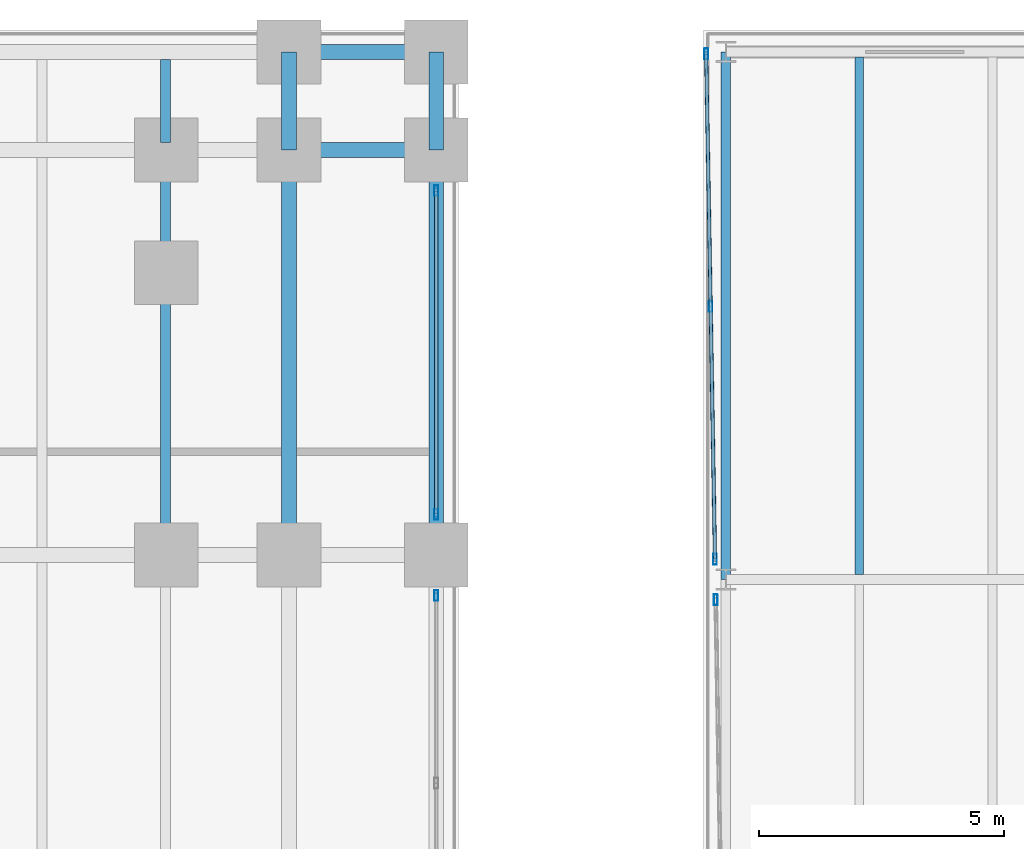
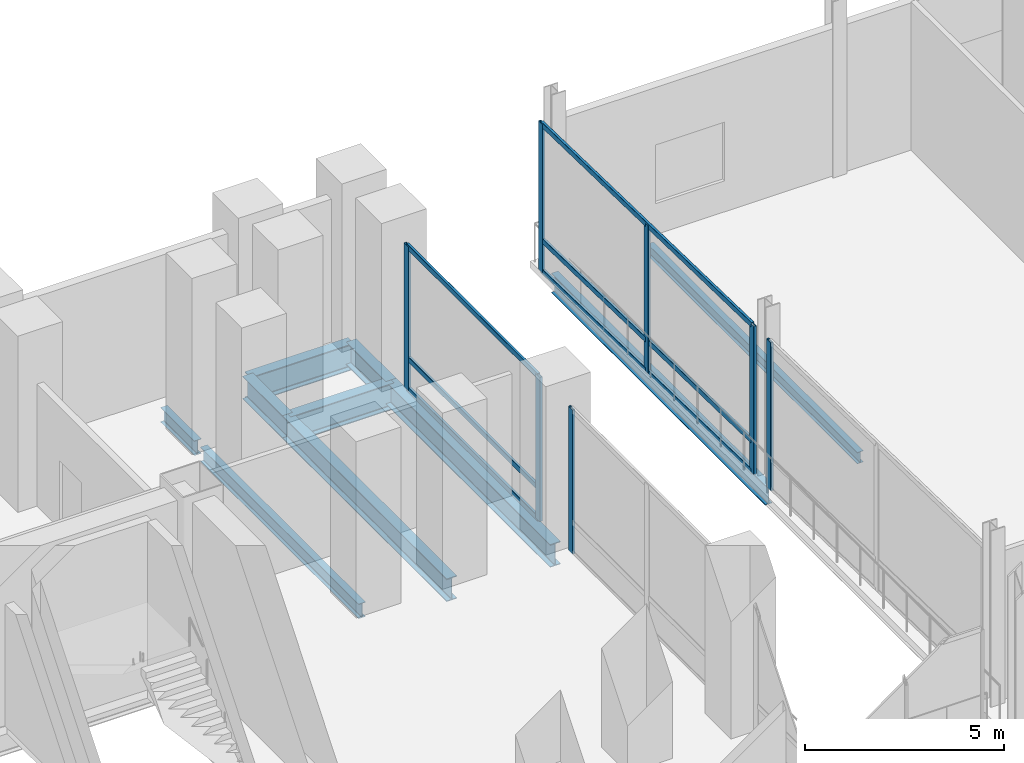
# One storey, part 19 of 30: 13 members, 10 beams, 4 elements without a shape of their own.
"""IFC4 building model written with IfcOpenShell, lengths in metres."""

from ifc_helpers import new_model, si_unit, direction, frame, origin, origin_2d, place, context, subcontext, project, spatial, hollow_rectangle, i_section, extrude, material, material_profile, profile_set, type_object, element, aggregate, save


model = new_model("IFC4")

# Units and contexts
model_context = context("Model", 3, precision=1e-05, world=origin(), true_north=direction((0.0, 1.0)))
body_context = subcontext(model_context, "Body", "Model", "MODEL_VIEW")
ifc_project = project(units=[si_unit("LENGTHUNIT", "METRE"), si_unit("AREAUNIT", "SQUARE_METRE"), si_unit("VOLUMEUNIT", "CUBIC_METRE"), si_unit("PLANEANGLEUNIT", "RADIAN"), si_unit("MASSUNIT", "GRAM", prefix="KILO")], contexts=[model_context])

# Site, building, storey
site_placement = place(None, origin())
site = spatial("IfcSite", under=ifc_project, at=site_placement, CompositionType="ELEMENT")
building_placement = place(site_placement, origin())
building = spatial("IfcBuilding", under=site, at=building_placement, Name="Noeulbin Bourse Tower", CompositionType="ELEMENT")
storey_placement = place(building_placement, frame((0.0, 0.0, 16.60009765625)))
storey = spatial("IfcBuildingStorey", under=building, at=storey_placement, Name="L04", CompositionType="ELEMENT", Elevation=16.60009765625)

# Beams
ifc_material_1 = material(Name="Steel S355", Category="steel")
ifc_material_profile_1 = material_profile(ifc_material_1, i_section(OverallWidth=0.199951171875, OverallDepth=0.60009765625, WebThickness=0.010986328125, FlangeThickness=0.01708984375, FilletRadius=0.02197265625, at=origin_2d()), Name="H-600x200x11x17", Category="LoadBearing")
ifc_profile_set_1 = profile_set([ifc_material_profile_1], Name="Steel S355")
beam_type_1 = type_object("IfcBeamType", Name="BM-GRD-600", PredefinedType="USERDEFINED", material=ifc_profile_set_1)
beam_1_placement = place(storey_placement, frame((60.449951171875, 37.800048828125, -0.52001953125), z_axis=(0.0, 1.0, 0.0), x_axis=(-1.0, 0.0, 0.0)))
element("IfcBeam", 1, at=beam_1_placement, inside=storey, type_object=beam_type_1, Name="Market Hall Girder NS L04-14", ObjectType="GIRDER", PredefinedType="USERDEFINED", context=body_context, shape_type="SweptSolid", body=[
    extrude(i_section(OverallWidth=0.199951171875, OverallDepth=0.60009765625, WebThickness=0.010986328125, FlangeThickness=0.01708984375, FilletRadius=0.02197265625, at=origin_2d()), origin(), (0.0, 0.0, 1.0), 10.75),
])
ifc_material_profile_2 = material_profile(ifc_material_1, i_section(OverallWidth=0.300048828125, OverallDepth=0.699951171875, WebThickness=0.012939453125, FlangeThickness=0.02392578125, FilletRadius=0.02392578125, at=origin_2d()), Name="H-700x300x13x24", Category="LoadBearing")
ifc_profile_set_2 = profile_set([ifc_material_profile_2], Name="Steel S355")
beam_type_2 = type_object("IfcBeamType", Name="BM-GRD-700", PredefinedType="USERDEFINED", material=ifc_profile_set_2)
beam_2_placement = place(storey_placement, frame((51.550048828125, 38.300048828125, -0.60009765625), z_axis=(0.0, 1.0, 0.0), x_axis=(-1.0, 0.0, 0.0)))
element("IfcBeam", 2, at=beam_2_placement, inside=storey, type_object=beam_type_2, Name="Podium Primary Girder NS L04-100", ObjectType="GIRDER", PredefinedType="USERDEFINED", context=body_context, shape_type="SweptSolid", body=[
    extrude(i_section(OverallWidth=0.300048828125, OverallDepth=0.699951171875, WebThickness=0.012939453125, FlangeThickness=0.02392578125, FilletRadius=0.02392578125, at=origin_2d()), origin(), (0.0, 0.0, 1.0), 8.25),
])
beam_3_placement = place(storey_placement, frame((51.550048828125, 46.550048828125, -0.60009765625), z_axis=(0.0, 1.0, 0.0), x_axis=(-1.0, 0.0, 0.0)))
element("IfcBeam", 3, at=beam_3_placement, inside=storey, type_object=beam_type_2, Name="Podium Primary Girder NS L04-101", ObjectType="GIRDER", PredefinedType="USERDEFINED", context=body_context, shape_type="SweptSolid", body=[
    extrude(i_section(OverallWidth=0.300048828125, OverallDepth=0.699951171875, WebThickness=0.012939453125, FlangeThickness=0.02392578125, FilletRadius=0.02392578125, at=origin_2d()), origin(), (0.0, 0.0, 1.0), 2.0),
])
beam_4_placement = place(storey_placement, frame((54.550048828125, 38.300048828125, -0.60009765625), z_axis=(0.0, 1.0, 0.0), x_axis=(-1.0, 0.0, 0.0)))
element("IfcBeam", 4, at=beam_4_placement, inside=storey, type_object=beam_type_2, Name="Podium Primary Girder NS L04-106", ObjectType="GIRDER", PredefinedType="USERDEFINED", context=body_context, shape_type="SweptSolid", body=[
    extrude(i_section(OverallWidth=0.300048828125, OverallDepth=0.699951171875, WebThickness=0.012939453125, FlangeThickness=0.02392578125, FilletRadius=0.02392578125, at=origin_2d()), origin(), (0.0, 0.0, 1.0), 8.25),
])
beam_5_placement = place(storey_placement, frame((54.550048828125, 46.550048828125, -0.60009765625), z_axis=(0.0, 1.0, 0.0), x_axis=(-1.0, 0.0, 0.0)))
element("IfcBeam", 5, at=beam_5_placement, inside=storey, type_object=beam_type_2, Name="Podium Primary Girder NS L04-107", ObjectType="GIRDER", PredefinedType="USERDEFINED", context=body_context, shape_type="SweptSolid", body=[
    extrude(i_section(OverallWidth=0.300048828125, OverallDepth=0.699951171875, WebThickness=0.012939453125, FlangeThickness=0.02392578125, FilletRadius=0.02392578125, at=origin_2d()), origin(), (0.0, 0.0, 1.0), 2.0),
])
ifc_material_profile_3 = material_profile(ifc_material_1, i_section(OverallWidth=0.300048828125, OverallDepth=0.800048828125, WebThickness=0.013916015625, FlangeThickness=0.02587890625, FilletRadius=0.02587890625, at=origin_2d()), Name="H-800x300x14x26", Category="LoadBearing")
ifc_profile_set_3 = profile_set([ifc_material_profile_3], Name="Steel S355")
beam_type_3 = type_object("IfcBeamType", Name="BM-GRD-800", PredefinedType="USERDEFINED", material=ifc_profile_set_3)
for number, where, z_axis, x_axis, name in (
    (6, (51.550048828125, 46.550048828125, -0.650146484375), (1.0, 0.0, 0.0), (0.0, 1.0, 0.0), "Podium Primary Girder EW L04-048"),
    (7, (51.550048828125, 48.550048828125, -0.650146484375), (1.0, 0.0, 0.0), (0.0, 1.0, 0.0), "Podium Primary Girder EW L04-056"),
):
    element("IfcBeam", number, at=place(storey_placement, frame(where, z_axis=z_axis, x_axis=x_axis)), inside=storey, type_object=beam_type_3, Name=name, ObjectType="GIRDER", PredefinedType="USERDEFINED", context=body_context, shape_type="SweptSolid", body=[
        extrude(i_section(OverallWidth=0.300048828125, OverallDepth=0.800048828125, WebThickness=0.013916015625, FlangeThickness=0.02587890625, FilletRadius=0.02587890625, at=origin_2d()), origin(), (0.0, 0.0, 1.0), 3.0),
    ])
ifc_material_profile_4 = material_profile(ifc_material_1, i_section(OverallWidth=0.175048828125, OverallDepth=0.35009765625, WebThickness=0.007080078125, FlangeThickness=0.010986328125, FilletRadius=0.013916015625, at=origin_2d()), Name="H-350x175x7x11", Category="LoadBearing")
ifc_profile_set_4 = profile_set([ifc_material_profile_4], Name="Steel S355")
beam_type_4 = type_object("IfcBeamType", Name="BM-JST-350", PredefinedType="JOIST", material=ifc_profile_set_4)
beam_6_placement = place(storey_placement, frame((63.166748046875, 37.89990234375, -0.39501953125), z_axis=(0.0, 1.0, 0.0), x_axis=(-1.0, 0.0, 0.0)))
element("IfcBeam", 8, at=beam_6_placement, inside=storey, type_object=beam_type_4, Name="Market Hall Secondary Joist L04-04", PredefinedType="JOIST", context=body_context, shape_type="SweptSolid", body=[
    extrude(i_section(OverallWidth=0.175048828125, OverallDepth=0.35009765625, WebThickness=0.007080078125, FlangeThickness=0.010986328125, FilletRadius=0.013916015625, at=origin_2d()), origin(), (0.0, 0.0, 1.0), 10.550048828125),
])
ifc_material_profile_5 = material_profile(ifc_material_1, i_section(OverallWidth=0.199951171875, OverallDepth=0.449951171875, WebThickness=0.009033203125, FlangeThickness=0.013916015625, FilletRadius=0.01806640625, at=origin_2d()), Name="H-450x200x9x14", Category="LoadBearing")
ifc_profile_set_5 = profile_set([ifc_material_profile_5], Name="Steel S355")
beam_type_5 = type_object("IfcBeamType", Name="BM-SEC-450", PredefinedType="BEAM", material=ifc_profile_set_5)
beam_7_placement = place(storey_placement, frame((49.033203125, 38.449951171875, -0.47509765625), z_axis=(0.0, 1.0, 0.0), x_axis=(-1.0, 0.0, 0.0)))
element("IfcBeam", 9, at=beam_7_placement, inside=storey, type_object=beam_type_5, Name="Podium Secondary Beam L04-083", PredefinedType="BEAM", context=body_context, shape_type="SweptSolid", body=[
    extrude(i_section(OverallWidth=0.199951171875, OverallDepth=0.449951171875, WebThickness=0.009033203125, FlangeThickness=0.013916015625, FilletRadius=0.01806640625, at=origin_2d()), origin(), (0.0, 0.0, 1.0), 7.949951171875),
])
beam_8_placement = place(storey_placement, frame((49.033203125, 46.699951171875, -0.47509765625), z_axis=(0.0, 1.0, 0.0), x_axis=(-1.0, 0.0, 0.0)))
element("IfcBeam", 10, at=beam_8_placement, inside=storey, type_object=beam_type_5, Name="Podium Secondary Beam L04-084", PredefinedType="BEAM", context=body_context, shape_type="SweptSolid", body=[
    extrude(i_section(OverallWidth=0.199951171875, OverallDepth=0.449951171875, WebThickness=0.009033203125, FlangeThickness=0.013916015625, FilletRadius=0.01806640625, at=origin_2d()), origin(), (0.0, 0.0, 1.0), 1.699951171875),
])

# Curtain wall, member
ifc_material_2 = material(Name="Laminated Clear Low-E Glass", Category="glass")
curtain_wall_type = type_object("IfcCurtainWallType", Name="CW-SYS-1", PredefinedType="NOTDEFINED", material=ifc_material_2)
curtain_wall_1_placement = place(storey_placement, origin())
curtain_wall_1 = element("IfcCurtainWall", 11, at=curtain_wall_1_placement, inside=storey, type_object=curtain_wall_type, Name="Unitised Curtain Wall CW-L04-POD-E2-S2", PredefinedType="NOTDEFINED")
ifc_material_3 = material(Name="Anodised Aluminium 6063-T6", Category="aluminium")
ifc_material_profile_6 = material_profile(ifc_material_3, hollow_rectangle(XDim=0.074951171875, YDim=0.219970703125, WallThickness=0.0048828125, InnerFilletRadius=0.00244140625, OuterFilletRadius=0.0048828125, at=origin_2d()), Name="ALU-MULL-75x220x5", Category="LoadBearing")
ifc_profile_set_6 = profile_set([ifc_material_profile_6], Name="Anodised Aluminium 6063-T6")
member_type_1 = type_object("IfcMemberType", Name="CW-SYS-1-MUL", PredefinedType="MULLION", material=ifc_profile_set_6)
member_1_placement = place(storey_placement, frame((54.550048828125, 37.47509765625, -0.02001953125), z_axis=(0.0, 0.0, 1.0), x_axis=(1.0, 0.0, 0.0)))
member_1 = element("IfcMember", 12, at=member_1_placement, type_object=member_type_1, Name="Curtain Wall Mullion CW-L04-POD-E2-S2-M02", PredefinedType="MULLION", context=body_context, shape_type="SweptSolid", body=[
    extrude(hollow_rectangle(XDim=0.074951171875, YDim=0.219970703125, WallThickness=0.0048828125, InnerFilletRadius=0.00244140625, OuterFilletRadius=0.0048828125, at=origin_2d()), origin(), (0.0, 0.0, 1.0), 4.419921875),
])
aggregate(curtain_wall_1, [member_1])

# Curtain wall, members
curtain_wall_2_placement = place(storey_placement, origin())
curtain_wall_2 = element("IfcCurtainWall", 13, at=curtain_wall_2_placement, inside=storey, type_object=curtain_wall_type, Name="Unitised Curtain Wall CW-L04-POD-E2-S3", PredefinedType="NOTDEFINED")
member_2_placement = place(storey_placement, frame((54.550048828125, 39.125, -0.02001953125), z_axis=(0.0, 0.0, 1.0), x_axis=(1.0, 0.0, 0.0)))
member_2 = element("IfcMember", 14, at=member_2_placement, type_object=member_type_1, Name="Curtain Wall Mullion CW-L04-POD-E2-S3-M00", PredefinedType="MULLION", context=body_context, shape_type="SweptSolid", body=[
    extrude(hollow_rectangle(XDim=0.074951171875, YDim=0.219970703125, WallThickness=0.0048828125, InnerFilletRadius=0.00244140625, OuterFilletRadius=0.0048828125, at=origin_2d()), origin(), (0.0, 0.0, 1.0), 4.419921875),
])
member_3_placement = place(storey_placement, frame((54.550048828125, 45.72509765625, -0.02001953125), z_axis=(0.0, 0.0, 1.0), x_axis=(1.0, 0.0, 0.0)))
member_3 = element("IfcMember", 15, at=member_3_placement, type_object=member_type_1, Name="Curtain Wall Mullion CW-L04-POD-E2-S3-M01", PredefinedType="MULLION", context=body_context, shape_type="SweptSolid", body=[
    extrude(hollow_rectangle(XDim=0.074951171875, YDim=0.219970703125, WallThickness=0.0048828125, InnerFilletRadius=0.00244140625, OuterFilletRadius=0.0048828125, at=origin_2d()), origin(), (0.0, 0.0, 1.0), 4.419921875),
])

# Curtain wall, member
curtain_wall_3_placement = place(storey_placement, origin())
curtain_wall_3 = element("IfcCurtainWall", 16, at=curtain_wall_3_placement, inside=storey, type_object=curtain_wall_type, Name="Unitised Curtain Wall CW-L04-MKT-W2-S1", PredefinedType="NOTDEFINED")
member_4_placement = place(storey_placement, frame((60.24462890625, 37.385986328125, -0.02001953125), z_axis=(0.0, 0.0, 1.0), x_axis=(1.0, 0.0, 0.0)))
member_4 = element("IfcMember", 17, at=member_4_placement, type_object=member_type_1, Name="Curtain Wall Mullion CW-L04-MKT-W2-S1-M02", PredefinedType="MULLION", context=body_context, shape_type="SweptSolid", body=[
    extrude(hollow_rectangle(XDim=0.074951171875, YDim=0.219970703125, WallThickness=0.0048828125, InnerFilletRadius=0.00244140625, OuterFilletRadius=0.0048828125, at=origin_2d()), origin(), (0.0, 0.0, 1.0), 4.5498046875),
])
aggregate(curtain_wall_3, [member_4])

# Curtain wall, members
curtain_wall_4_placement = place(storey_placement, origin())
curtain_wall_4 = element("IfcCurtainWall", 18, at=curtain_wall_4_placement, inside=storey, type_object=curtain_wall_type, Name="Unitised Curtain Wall CW-L04-MKT-W2-S2", PredefinedType="NOTDEFINED")
member_5_placement = place(storey_placement, frame((60.22998046875, 38.214111328125, -0.02001953125), z_axis=(0.0, 0.0, 1.0), x_axis=(1.0, 0.0, 0.0)))
member_5 = element("IfcMember", 19, at=member_5_placement, type_object=member_type_1, Name="Curtain Wall Mullion CW-L04-MKT-W2-S2-M00", PredefinedType="MULLION", context=body_context, shape_type="SweptSolid", body=[
    extrude(hollow_rectangle(XDim=0.074951171875, YDim=0.219970703125, WallThickness=0.0048828125, InnerFilletRadius=0.00244140625, OuterFilletRadius=0.0048828125, at=origin_2d()), origin(), (0.0, 0.0, 1.0), 4.5498046875),
])
member_6_placement = place(storey_placement, frame((60.140380859375, 43.362060546875, -0.02001953125), z_axis=(0.0, 0.0, 1.0), x_axis=(1.0, 0.0, 0.0)))
member_6 = element("IfcMember", 20, at=member_6_placement, type_object=member_type_1, Name="Curtain Wall Mullion CW-L04-MKT-W2-S2-M01", PredefinedType="MULLION", context=body_context, shape_type="SweptSolid", body=[
    extrude(hollow_rectangle(XDim=0.074951171875, YDim=0.219970703125, WallThickness=0.0048828125, InnerFilletRadius=0.00244140625, OuterFilletRadius=0.0048828125, at=origin_2d()), origin(), (0.0, 0.0, 1.0), 4.5498046875),
])
member_7_placement = place(storey_placement, frame((60.05078125, 48.510009765625, -0.02001953125), z_axis=(0.0, 0.0, 1.0), x_axis=(1.0, 0.0, 0.0)))
member_7 = element("IfcMember", 21, at=member_7_placement, type_object=member_type_1, Name="Curtain Wall Mullion CW-L04-MKT-W2-S2-M02", PredefinedType="MULLION", context=body_context, shape_type="SweptSolid", body=[
    extrude(hollow_rectangle(XDim=0.074951171875, YDim=0.219970703125, WallThickness=0.0048828125, InnerFilletRadius=0.00244140625, OuterFilletRadius=0.0048828125, at=origin_2d()), origin(), (0.0, 0.0, 1.0), 4.5498046875),
])

# Member
ifc_material_profile_7 = material_profile(ifc_material_3, hollow_rectangle(XDim=0.074951171875, YDim=0.159912109375, WallThickness=0.0048828125, InnerFilletRadius=0.00244140625, OuterFilletRadius=0.0048828125, at=origin_2d()), Name="ALU-TRAN-75x160x5", Category="LoadBearing")
ifc_profile_set_7 = profile_set([ifc_material_profile_7], Name="Anodised Aluminium 6063-T6")
member_type_2 = type_object("IfcMemberType", Name="CW-SYS-1-TRN", PredefinedType="USERDEFINED", material=ifc_profile_set_7)
member_8_placement = place(storey_placement, frame((54.550048828125, 39.135009765625, 0.010009765625), z_axis=(0.0, 1.0, 0.0), x_axis=(-1.0, 0.0, 0.0)))
member_8 = element("IfcMember", 22, at=member_8_placement, type_object=member_type_2, Name="Curtain Wall Transom CW-L04-POD-E2-S3-T00", ObjectType="TRANSOM", PredefinedType="USERDEFINED", context=body_context, shape_type="SweptSolid", body=[
    extrude(hollow_rectangle(XDim=0.074951171875, YDim=0.159912109375, WallThickness=0.0048828125, InnerFilletRadius=0.00244140625, OuterFilletRadius=0.0048828125, at=origin_2d()), origin(), (0.0, 0.0, 1.0), 6.580078125),
])

member_9_placement = place(storey_placement, frame((54.550048828125, 39.135009765625, 0.949951171875), z_axis=(0.0, 1.0, 0.0), x_axis=(-1.0, 0.0, 0.0)))
member_9 = element("IfcMember", 23, at=member_9_placement, type_object=member_type_2, Name="Curtain Wall Transom CW-L04-POD-E2-S3-T01", ObjectType="TRANSOM", PredefinedType="USERDEFINED", context=body_context, shape_type="SweptSolid", body=[
    extrude(hollow_rectangle(XDim=0.074951171875, YDim=0.159912109375, WallThickness=0.0048828125, InnerFilletRadius=0.00244140625, OuterFilletRadius=0.0048828125, at=origin_2d()), origin(), (0.0, 0.0, 1.0), 6.580078125),
])

member_10_placement = place(storey_placement, frame((54.550048828125, 39.135009765625, 4.369873046875), z_axis=(0.0, 1.0, 0.0), x_axis=(-1.0, 0.0, 0.0)))
member_10 = element("IfcMember", 24, at=member_10_placement, type_object=member_type_2, Name="Curtain Wall Transom CW-L04-POD-E2-S3-T02", ObjectType="TRANSOM", PredefinedType="USERDEFINED", context=body_context, shape_type="SweptSolid", body=[
    extrude(hollow_rectangle(XDim=0.074951171875, YDim=0.159912109375, WallThickness=0.0048828125, InnerFilletRadius=0.00244140625, OuterFilletRadius=0.0048828125, at=origin_2d()), origin(), (0.0, 0.0, 1.0), 6.580078125),
])

aggregate(curtain_wall_2, [member_2, member_3, member_8, member_9, member_10])

member_11_placement = place(storey_placement, frame((60.22998046875, 38.22412109375, 0.010009765625), z_axis=(-0.017436170496, 0.999847978424, 0.0), x_axis=(-0.999847978424, -0.017436170496, 0.0)))
member_11 = element("IfcMember", 25, at=member_11_placement, type_object=member_type_2, Name="Curtain Wall Transom CW-L04-MKT-W2-S2-T00", ObjectType="TRANSOM", PredefinedType="USERDEFINED", context=body_context, shape_type="SweptSolid", body=[
    extrude(hollow_rectangle(XDim=0.074951171875, YDim=0.159912109375, WallThickness=0.0048828125, InnerFilletRadius=0.00244140625, OuterFilletRadius=0.0048828125, at=origin_2d()), origin(), (0.0, 0.0, 1.0), 10.27734375),
])

member_12_placement = place(storey_placement, frame((60.22998046875, 38.22412109375, 0.949951171875), z_axis=(-0.017436170496, 0.999847978424, 0.0), x_axis=(-0.999847978424, -0.017436170496, 0.0)))
member_12 = element("IfcMember", 26, at=member_12_placement, type_object=member_type_2, Name="Curtain Wall Transom CW-L04-MKT-W2-S2-T01", ObjectType="TRANSOM", PredefinedType="USERDEFINED", context=body_context, shape_type="SweptSolid", body=[
    extrude(hollow_rectangle(XDim=0.074951171875, YDim=0.159912109375, WallThickness=0.0048828125, InnerFilletRadius=0.00244140625, OuterFilletRadius=0.0048828125, at=origin_2d()), origin(), (0.0, 0.0, 1.0), 10.27734375),
])

member_13_placement = place(storey_placement, frame((60.22998046875, 38.22412109375, 4.5), z_axis=(-0.017436170496, 0.999847978424, 0.0), x_axis=(-0.999847978424, -0.017436170496, 0.0)))
member_13 = element("IfcMember", 27, at=member_13_placement, type_object=member_type_2, Name="Curtain Wall Transom CW-L04-MKT-W2-S2-T02", ObjectType="TRANSOM", PredefinedType="USERDEFINED", context=body_context, shape_type="SweptSolid", body=[
    extrude(hollow_rectangle(XDim=0.074951171875, YDim=0.159912109375, WallThickness=0.0048828125, InnerFilletRadius=0.00244140625, OuterFilletRadius=0.0048828125, at=origin_2d()), origin(), (0.0, 0.0, 1.0), 10.27734375),
])

aggregate(curtain_wall_4, [member_5, member_6, member_7, member_11, member_12, member_13])

save(model, "model.ifc")
